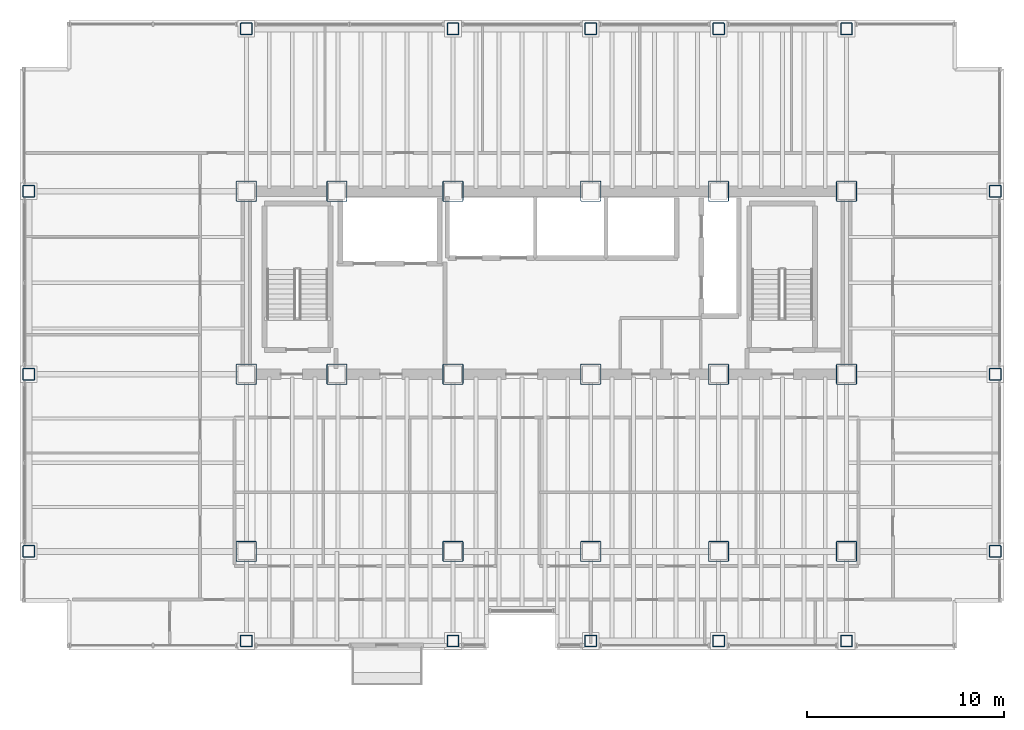
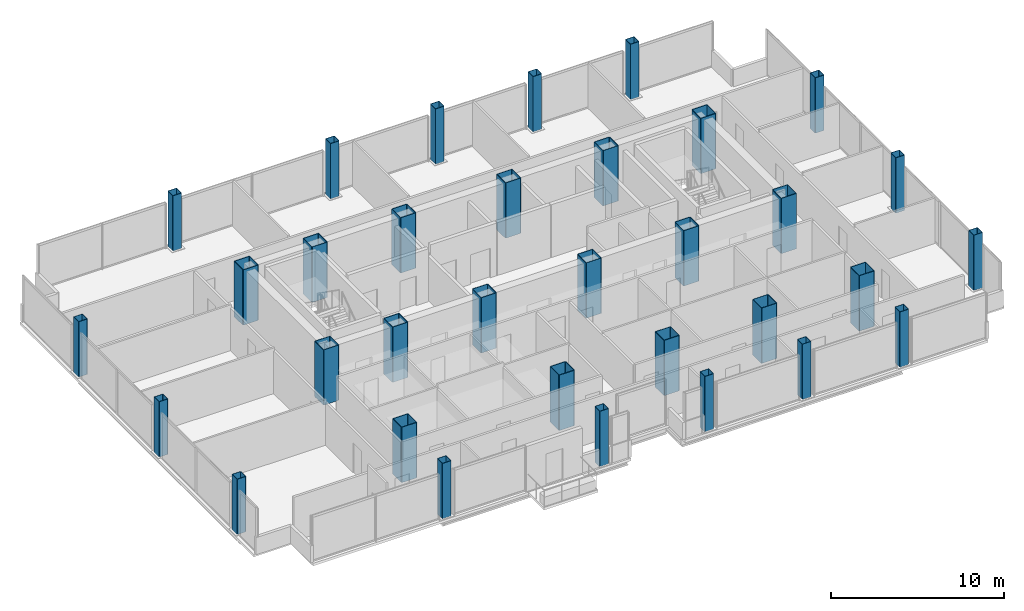
# One storey, part 1 of 21: 33 columns.
"""IFC4 building model written with IfcOpenShell, lengths in metres."""

import ifcopenshell
import ifcopenshell.guid

model = None  # the IFC model being written
_history = None  # IfcOwnerHistory: only IFC2X3 demands one
_inside = {}  # id of a spatial element -> (the spatial element, [elements in it])
_under = {}  # id of a project, library or spatial element -> (it, [spatial elements below it])
_declared = {}  # id of a project -> (the project, [libraries it declares])
_typed = {}  # id of a type object -> (the type object, [elements of that type])
_made_of = {}  # id of a material, layer set ... -> (it, [elements and type objects made of it])


def new_model(schema):
    """Start an empty IFC model of exactly this schema.

    Asked for "IFC4X3", IfcOpenShell would pick the latest addendum, in which some entities
    have other attributes; the version numbers below select the first issue.
    IFC2X3 requires an IfcOwnerHistory on every rooted entity: one is made here for all.
    """
    global model, _history
    if schema == "IFC4X3":
        model = ifcopenshell.file(schema_version=(4, 3, 0, 0))
    else:
        model = ifcopenshell.file(schema=schema)
    _inside.clear()
    _under.clear()
    _declared.clear()
    _typed.clear()
    _made_of.clear()
    _history = None
    if model.schema == "IFC2X3":
        org = make("IfcOrganization", Name="unknown")
        user = make(
            "IfcPersonAndOrganization",
            ThePerson=make("IfcPerson", FamilyName="unknown"),
            TheOrganization=org,
        )
        app = make(
            "IfcApplication",
            ApplicationDeveloper=org,
            Version="unknown",
            ApplicationFullName="unknown",
            ApplicationIdentifier="unknown",
        )
        _history = make(
            "IfcOwnerHistory",
            OwningUser=user,
            OwningApplication=app,
            ChangeAction="ADDED",
            CreationDate=0,
        )
    return model


def make(cls, **values):
    """One entity of the class cls with the attributes given. An attribute that is None is left unset."""
    return model.create_entity(
        cls, **{name: value for name, value in values.items() if value is not None}
    )


def rooted(cls, **values):
    """An entity with a GlobalId (a new one), such as an element, a storey or a relation."""
    return make(cls, GlobalId=ifcopenshell.guid.new(), OwnerHistory=_history, **values)


def si_unit(unit_type, name, prefix=None):
    """IfcSIUnit, for example si_unit("LENGTHUNIT", "METRE", prefix="MILLI")."""
    return make("IfcSIUnit", UnitType=unit_type, Prefix=prefix, Name=name)


def assignment(units):
    """IfcUnitAssignment: the units of a project."""
    return None if units is None else make("IfcUnitAssignment", Units=units)


def point(xyz):
    """IfcCartesianPoint."""
    return None if xyz is None else make("IfcCartesianPoint", Coordinates=xyz)


def direction(xyz):
    """IfcDirection."""
    return None if xyz is None else make("IfcDirection", DirectionRatios=xyz)


def frame(location, z_axis=None, x_axis=None):
    """IfcAxis2Placement3D, a coordinate frame: its origin and axes. An axis left out is left unset."""
    return make(
        "IfcAxis2Placement3D",
        Location=point(location),
        Axis=direction(z_axis),
        RefDirection=direction(x_axis),
    )


def frame_2d(location, x_axis=None):
    """IfcAxis2Placement2D, a coordinate frame in the plane: its origin and x axis."""
    return make(
        "IfcAxis2Placement2D", Location=point(location), RefDirection=direction(x_axis)
    )


def origin():
    """The frame at (0, 0, 0) with its axes left unset."""
    return frame((0.0, 0.0, 0.0))


def origin_2d():
    """The frame at (0, 0) in the plane with its x axis left unset."""
    return frame_2d((0.0, 0.0))


def place(relative_to, where):
    """IfcLocalPlacement: puts the frame where relative to a parent placement (None: the world)."""
    return make(
        "IfcLocalPlacement", PlacementRelTo=relative_to, RelativePlacement=where
    )


def context(
    kind, dimensions, precision=None, world=None, true_north=None, identifier=None
):
    """IfcGeometricRepresentationContext, for example the 3D "Model" context."""
    return make(
        "IfcGeometricRepresentationContext",
        ContextIdentifier=identifier,
        ContextType=kind,
        CoordinateSpaceDimension=dimensions,
        Precision=precision,
        WorldCoordinateSystem=world,
        TrueNorth=true_north,
    )


def subcontext(parent, identifier, kind, view, scale=None):
    """IfcGeometricRepresentationSubContext, for example "Body" below "Model"."""
    return make(
        "IfcGeometricRepresentationSubContext",
        ContextIdentifier=identifier,
        ContextType=kind,
        ParentContext=parent,
        TargetScale=scale,
        TargetView=view,
    )


def project(units=None, contexts=None):
    """IfcProject with its units and contexts."""
    return rooted(
        "IfcProject",
        Name="project",
        RepresentationContexts=contexts,
        UnitsInContext=assignment(units),
    )


def spatial(cls, under=None, at=None, **own):
    """A site, building, storey or space (cls), placed at a placement, below another one or the project."""
    s = rooted(cls, ObjectPlacement=at, **own)
    if under is not None:
        _under.setdefault(under.id(), (under, []))[1].append(s)
    return s


def profile(cls, at=None, kind="AREA", **sizes):
    """A parametric profile (cls). Its sizes go by their IFC names, for example OverallWidth=200.0."""
    return make(cls, ProfileType=kind, Position=at, **sizes)


def hollow_rectangle(**sizes):
    """IfcRectangleHollowProfileDef."""
    return profile("IfcRectangleHollowProfileDef", **sizes)


def extrude(swept, where, along, depth):
    """IfcExtrudedAreaSolid: the profile swept, set in the frame where, extruded along a direction by depth."""
    return make(
        "IfcExtrudedAreaSolid",
        SweptArea=swept,
        Position=where,
        ExtrudedDirection=direction(along),
        Depth=depth,
    )


def shape(context_of_items, identifier, shape_type, items):
    """IfcShapeRepresentation: the items that make up one representation, for example the "Body"."""
    return make(
        "IfcShapeRepresentation",
        ContextOfItems=context_of_items,
        RepresentationIdentifier=identifier,
        RepresentationType=shape_type,
        Items=items,
    )


def material(Name=None, Category=None):
    """IfcMaterial."""
    return make("IfcMaterial", Name=Name, Category=Category)


def material_profile(
    of_material, cross_section, Name=None, Category=None, Priority=None
):
    """IfcMaterialProfile: a cross section and its material."""
    return make(
        "IfcMaterialProfile",
        Name=Name,
        Material=of_material,
        Profile=cross_section,
        Priority=Priority,
        Category=Category,
    )


def profile_set(profiles, Name=None, composite=None):
    """IfcMaterialProfileSet."""
    return make(
        "IfcMaterialProfileSet",
        Name=Name,
        MaterialProfiles=profiles,
        CompositeProfile=composite,
    )


def made_of(thing, what):
    """Note that an element or type object is made of a material, layer set ...; save() writes the relation."""
    if what is not None:
        _made_of.setdefault(what.id(), (what, []))[1].append(thing)
    return thing


def type_object(cls, material=None, **own):
    """A type object (cls), such as IfcWallType, which elements share."""
    return made_of(rooted(cls, **own), material)


def element(
    cls,
    number,
    at=None,
    inside=None,
    cuts=None,
    type_object=None,
    material=None,
    context=None,
    identifier="Body",
    shape_type=None,
    held_by="IfcProductDefinitionShape",
    body=None,
    shapes=None,
    **own,
):
    """One element of the class cls, such as IfcWall. Its Tag is "e" and its number.

    at: its placement. inside: the storey or other place that contains it. cuts: it is an
    opening in that element (IfcRelVoidsElement). A single representation is given by context,
    identifier, shape_type and body (its items); several are given by shapes. held_by: the class
    of the entity that holds the representations. save() writes the other relations.
    """
    e = rooted(cls, Tag="e%d" % number, ObjectPlacement=at, **own)
    if body is not None:
        shapes = [shape(context, identifier, shape_type, body)]
    if shapes is not None:
        e.Representation = make(held_by, Representations=shapes)
    if inside is not None:
        _inside.setdefault(inside.id(), (inside, []))[1].append(e)
    if cuts is not None:
        rooted(
            "IfcRelVoidsElement", RelatingBuildingElement=cuts, RelatedOpeningElement=e
        )
    if type_object is not None:
        _typed.setdefault(type_object.id(), (type_object, []))[1].append(e)
    return made_of(e, material)


def aggregate(whole, parts):
    """IfcRelAggregates: a whole, such as a stair, and the parts it consists of."""
    return rooted("IfcRelAggregates", RelatingObject=whole, RelatedObjects=parts)


def save(model, path):
    """Write the relations noted so far, then the file.

    IfcRelAggregates (storeys below a building ...), IfcRelContainedInSpatialStructure (elements
    in a storey), IfcRelDefinesByType, IfcRelAssociatesMaterial and IfcRelDeclares: one each for
    every whole, place, type object, material and project.
    """
    for whole, parts in _under.values():
        aggregate(whole, parts)
    for where, things in _inside.values():
        rooted(
            "IfcRelContainedInSpatialStructure",
            RelatedElements=things,
            RelatingStructure=where,
        )
    for kind, things in _typed.values():
        rooted("IfcRelDefinesByType", RelatedObjects=things, RelatingType=kind)
    for what, things in _made_of.values():
        rooted("IfcRelAssociatesMaterial", RelatedObjects=things, RelatingMaterial=what)
    for by, libraries in _declared.values():
        rooted("IfcRelDeclares", RelatingContext=by, RelatedDefinitions=libraries)
    model.write(path)


model = new_model("IFC4")

# Units and contexts
model_context = context("Model", 3, precision=1e-05, world=origin(), true_north=direction((0.0, 1.0)))
body_context = subcontext(model_context, "Body", "Model", "MODEL_VIEW")
ifc_project = project(units=[si_unit("LENGTHUNIT", "METRE"), si_unit("AREAUNIT", "SQUARE_METRE"), si_unit("VOLUMEUNIT", "CUBIC_METRE"), si_unit("PLANEANGLEUNIT", "RADIAN"), si_unit("MASSUNIT", "GRAM", prefix="KILO")], contexts=[model_context])

# Site, building, storey
site_placement = place(None, origin())
site = spatial("IfcSite", under=ifc_project, at=site_placement, CompositionType="ELEMENT")
building_placement = place(site_placement, origin())
building = spatial("IfcBuilding", under=site, at=building_placement, Name="Noeulbin Bourse Tower", CompositionType="ELEMENT")
storey_placement = place(building_placement, frame((0.0, 0.0, 30.39990234375)))
storey = spatial("IfcBuildingStorey", under=building, at=storey_placement, Name="L07", CompositionType="ELEMENT", Elevation=30.39990234375)

# Columns
ifc_material = material(Name="Steel S460", Category="steel")
ifc_material_profile_1 = material_profile(ifc_material, hollow_rectangle(XDim=0.60009765625, YDim=0.60009765625, WallThickness=0.02587890625, InnerFilletRadius=0.012939453125, OuterFilletRadius=0.0390625, at=origin_2d()), Name="BOX-600x600x26", Category="LoadBearing")
ifc_profile_set_1 = profile_set([ifc_material_profile_1], Name="Steel S460")
column_type_1 = type_object("IfcColumnType", Name="COL-PER-Z1", PredefinedType="COLUMN", material=ifc_profile_set_1)
for number, where, z_axis, x_axis, name in (
    (1, (2.449951171875, 20.0, 0.0), (0.0, 0.0, 1.0), (1.0, 0.0, 0.0), "Tower Perimeter Column COL-PER-Z1 01"),
    (2, (2.449951171875, 29.0, 0.0), (0.0, 0.0, 1.0), (1.0, 0.0, 0.0), "Tower Perimeter Column COL-PER-Z1 02"),
    (3, (2.449951171875, 38.300048828125, 0.0), (0.0, 0.0, 1.0), (1.0, 0.0, 0.0), "Tower Perimeter Column COL-PER-Z1 03"),
    (4, (13.5, 15.449951171875, 0.0), (0.0, 0.0, 1.0), (1.0, 0.0, 0.0), "Tower Perimeter Column COL-PER-Z1 04"),
    (5, (13.5, 46.550048828125, 0.0), (0.0, 0.0, 1.0), (1.0, 0.0, 0.0), "Tower Perimeter Column COL-PER-Z1 05"),
    (6, (24.0, 15.449951171875, 0.0), (0.0, 0.0, 1.0), (1.0, 0.0, 0.0), "Tower Perimeter Column COL-PER-Z1 06"),
    (7, (24.0, 46.550048828125, 0.0), (0.0, 0.0, 1.0), (1.0, 0.0, 0.0), "Tower Perimeter Column COL-PER-Z1 07"),
    (8, (31.0, 15.449951171875, 0.0), (0.0, 0.0, 1.0), (1.0, 0.0, 0.0), "Tower Perimeter Column COL-PER-Z1 08"),
    (9, (31.0, 46.550048828125, 0.0), (0.0, 0.0, 1.0), (1.0, 0.0, 0.0), "Tower Perimeter Column COL-PER-Z1 09"),
    (10, (37.5, 15.449951171875, 0.0), (0.0, 0.0, 1.0), (1.0, 0.0, 0.0), "Tower Perimeter Column COL-PER-Z1 10"),
    (11, (37.5, 46.550048828125, 0.0), (0.0, 0.0, 1.0), (1.0, 0.0, 0.0), "Tower Perimeter Column COL-PER-Z1 11"),
    (12, (44.0, 15.449951171875, 0.0), (0.0, 0.0, 1.0), (1.0, 0.0, 0.0), "Tower Perimeter Column COL-PER-Z1 12"),
    (13, (44.0, 46.550048828125, 0.0), (0.0, 0.0, 1.0), (1.0, 0.0, 0.0), "Tower Perimeter Column COL-PER-Z1 13"),
    (14, (51.550048828125, 20.0, 0.0), (0.0, 0.0, 1.0), (1.0, 0.0, 0.0), "Tower Perimeter Column COL-PER-Z1 14"),
    (15, (51.550048828125, 29.0, 0.0), (0.0, 0.0, 1.0), (1.0, 0.0, 0.0), "Tower Perimeter Column COL-PER-Z1 15"),
    (16, (51.550048828125, 38.300048828125, 0.0), (0.0, 0.0, 1.0), (1.0, 0.0, 0.0), "Tower Perimeter Column COL-PER-Z1 16"),
):
    element("IfcColumn", number, at=place(storey_placement, frame(where, z_axis=z_axis, x_axis=x_axis)), inside=storey, type_object=column_type_1, Name=name, PredefinedType="COLUMN", context=body_context, shape_type="SweptSolid", body=[
        extrude(hollow_rectangle(XDim=0.60009765625, YDim=0.60009765625, WallThickness=0.02587890625, InnerFilletRadius=0.012939453125, OuterFilletRadius=0.0390625, at=origin_2d()), origin(), (0.0, 0.0, 1.0), 3.900146484375),
    ])
ifc_material_profile_2 = material_profile(ifc_material, hollow_rectangle(XDim=1.050048828125, YDim=1.050048828125, WallThickness=0.0380859375, InnerFilletRadius=0.01904296875, OuterFilletRadius=0.056884765625, at=origin_2d()), Name="BOX-1050x1050x38", Category="LoadBearing")
ifc_profile_set_2 = profile_set([ifc_material_profile_2], Name="Steel S460")
column_type_2 = type_object("IfcColumnType", Name="COL-TRK-Z1", PredefinedType="COLUMN", material=ifc_profile_set_2)
for number, where, z_axis, x_axis, name in (
    (17, (13.5, 29.0, 0.0), (0.0, 0.0, 1.0), (1.0, 0.0, 0.0), "Tower Trunk Mega-Column COL-TRK-Z1 01"),
    (18, (13.5, 38.300048828125, 0.0), (0.0, 0.0, 1.0), (1.0, 0.0, 0.0), "Tower Trunk Mega-Column COL-TRK-Z1 02"),
    (19, (18.10009765625, 29.0, 0.0), (0.0, 0.0, 1.0), (1.0, 0.0, 0.0), "Tower Trunk Mega-Column COL-TRK-Z1 03"),
    (20, (18.10009765625, 38.300048828125, 0.0), (0.0, 0.0, 1.0), (1.0, 0.0, 0.0), "Tower Trunk Mega-Column COL-TRK-Z1 04"),
    (21, (24.0, 29.0, 0.0), (0.0, 0.0, 1.0), (1.0, 0.0, 0.0), "Tower Trunk Mega-Column COL-TRK-Z1 05"),
    (22, (24.0, 38.300048828125, 0.0), (0.0, 0.0, 1.0), (1.0, 0.0, 0.0), "Tower Trunk Mega-Column COL-TRK-Z1 06"),
    (23, (31.0, 29.0, 0.0), (0.0, 0.0, 1.0), (1.0, 0.0, 0.0), "Tower Trunk Mega-Column COL-TRK-Z1 07"),
    (24, (31.0, 38.300048828125, 0.0), (0.0, 0.0, 1.0), (1.0, 0.0, 0.0), "Tower Trunk Mega-Column COL-TRK-Z1 08"),
    (25, (37.5, 29.0, 0.0), (0.0, 0.0, 1.0), (1.0, 0.0, 0.0), "Tower Trunk Mega-Column COL-TRK-Z1 09"),
    (26, (37.5, 38.300048828125, 0.0), (0.0, 0.0, 1.0), (1.0, 0.0, 0.0), "Tower Trunk Mega-Column COL-TRK-Z1 10"),
    (27, (44.0, 29.0, 0.0), (0.0, 0.0, 1.0), (1.0, 0.0, 0.0), "Tower Trunk Mega-Column COL-TRK-Z1 11"),
    (28, (44.0, 38.300048828125, 0.0), (0.0, 0.0, 1.0), (1.0, 0.0, 0.0), "Tower Trunk Mega-Column COL-TRK-Z1 12"),
    (29, (13.5, 20.0, 0.0), (0.0, 0.0, 1.0), (1.0, 0.0, 0.0), "Tower Trunk Mega-Column COL-TRK-Z1 13"),
    (30, (24.0, 20.0, 0.0), (0.0, 0.0, 1.0), (1.0, 0.0, 0.0), "Tower Trunk Mega-Column COL-TRK-Z1 14"),
    (31, (31.0, 20.0, 0.0), (0.0, 0.0, 1.0), (1.0, 0.0, 0.0), "Tower Trunk Mega-Column COL-TRK-Z1 15"),
    (32, (37.5, 20.0, 0.0), (0.0, 0.0, 1.0), (1.0, 0.0, 0.0), "Tower Trunk Mega-Column COL-TRK-Z1 16"),
    (33, (44.0, 20.0, 0.0), (0.0, 0.0, 1.0), (1.0, 0.0, 0.0), "Tower Trunk Mega-Column COL-TRK-Z1 17"),
):
    element("IfcColumn", number, at=place(storey_placement, frame(where, z_axis=z_axis, x_axis=x_axis)), inside=storey, type_object=column_type_2, Name=name, PredefinedType="COLUMN", context=body_context, shape_type="SweptSolid", body=[
        extrude(hollow_rectangle(XDim=1.050048828125, YDim=1.050048828125, WallThickness=0.0380859375, InnerFilletRadius=0.01904296875, OuterFilletRadius=0.056884765625, at=origin_2d()), origin(), (0.0, 0.0, 1.0), 3.900146484375),
    ])

save(model, "model.ifc")
